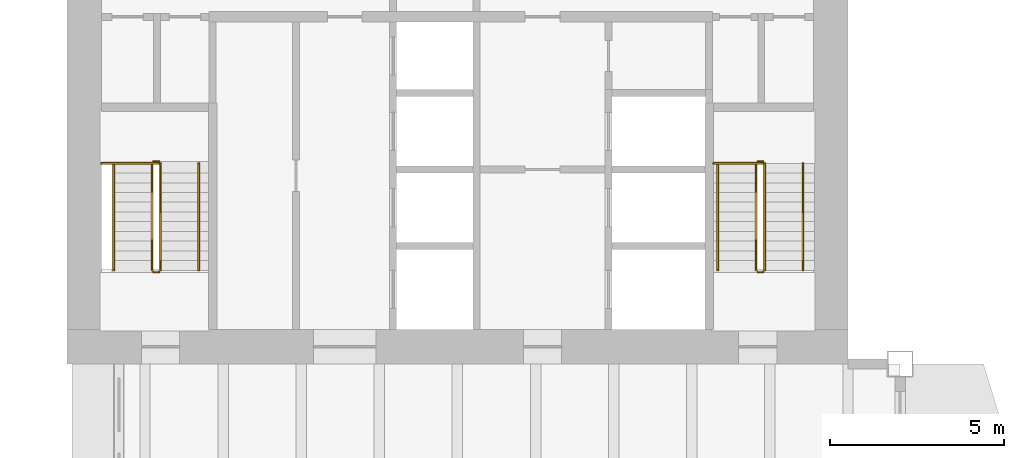
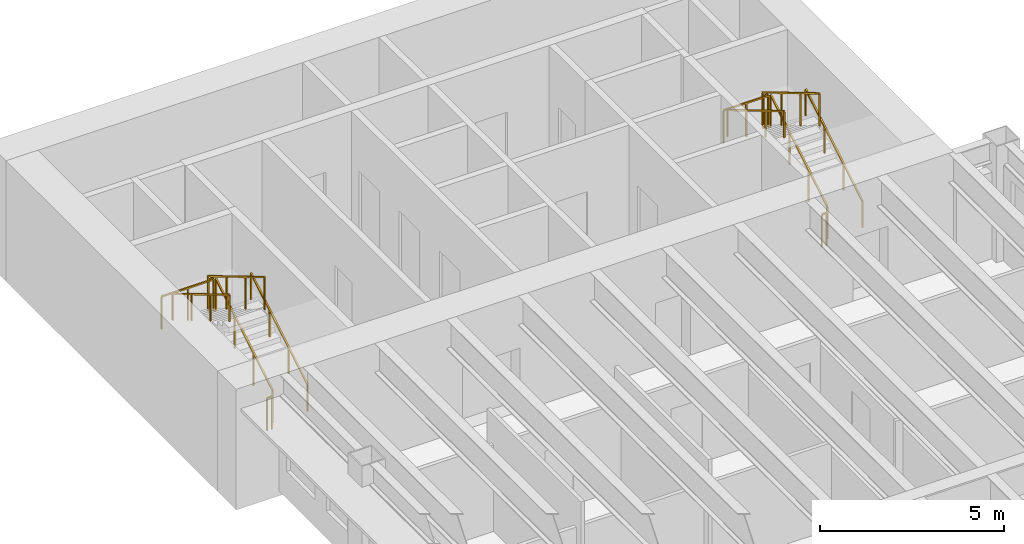
# One storey, part 16 of 16: 14 railings.
"""IFC4 building model written with IfcOpenShell, lengths in metres."""

import ifcopenshell
import ifcopenshell.guid

model = None  # the IFC model being written
_history = None  # IfcOwnerHistory: only IFC2X3 demands one
_inside = {}  # id of a spatial element -> (the spatial element, [elements in it])
_under = {}  # id of a project, library or spatial element -> (it, [spatial elements below it])
_declared = {}  # id of a project -> (the project, [libraries it declares])
_typed = {}  # id of a type object -> (the type object, [elements of that type])
_made_of = {}  # id of a material, layer set ... -> (it, [elements and type objects made of it])


def new_model(schema):
    """Start an empty IFC model of exactly this schema.

    Asked for "IFC4X3", IfcOpenShell would pick the latest addendum, in which some entities
    have other attributes; the version numbers below select the first issue.
    IFC2X3 requires an IfcOwnerHistory on every rooted entity: one is made here for all.
    """
    global model, _history
    if schema == "IFC4X3":
        model = ifcopenshell.file(schema_version=(4, 3, 0, 0))
    else:
        model = ifcopenshell.file(schema=schema)
    _inside.clear()
    _under.clear()
    _declared.clear()
    _typed.clear()
    _made_of.clear()
    _history = None
    if model.schema == "IFC2X3":
        org = make("IfcOrganization", Name="unknown")
        user = make(
            "IfcPersonAndOrganization",
            ThePerson=make("IfcPerson", FamilyName="unknown"),
            TheOrganization=org,
        )
        app = make(
            "IfcApplication",
            ApplicationDeveloper=org,
            Version="unknown",
            ApplicationFullName="unknown",
            ApplicationIdentifier="unknown",
        )
        _history = make(
            "IfcOwnerHistory",
            OwningUser=user,
            OwningApplication=app,
            ChangeAction="ADDED",
            CreationDate=0,
        )
    return model


def make(cls, **values):
    """One entity of the class cls with the attributes given. An attribute that is None is left unset."""
    return model.create_entity(
        cls, **{name: value for name, value in values.items() if value is not None}
    )


def rooted(cls, **values):
    """An entity with a GlobalId (a new one), such as an element, a storey or a relation."""
    return make(cls, GlobalId=ifcopenshell.guid.new(), OwnerHistory=_history, **values)


def si_unit(unit_type, name, prefix=None):
    """IfcSIUnit, for example si_unit("LENGTHUNIT", "METRE", prefix="MILLI")."""
    return make("IfcSIUnit", UnitType=unit_type, Prefix=prefix, Name=name)


def assignment(units):
    """IfcUnitAssignment: the units of a project."""
    return None if units is None else make("IfcUnitAssignment", Units=units)


def point(xyz):
    """IfcCartesianPoint."""
    return None if xyz is None else make("IfcCartesianPoint", Coordinates=xyz)


def direction(xyz):
    """IfcDirection."""
    return None if xyz is None else make("IfcDirection", DirectionRatios=xyz)


def frame(location, z_axis=None, x_axis=None):
    """IfcAxis2Placement3D, a coordinate frame: its origin and axes. An axis left out is left unset."""
    return make(
        "IfcAxis2Placement3D",
        Location=point(location),
        Axis=direction(z_axis),
        RefDirection=direction(x_axis),
    )


def frame_2d(location, x_axis=None):
    """IfcAxis2Placement2D, a coordinate frame in the plane: its origin and x axis."""
    return make(
        "IfcAxis2Placement2D", Location=point(location), RefDirection=direction(x_axis)
    )


def origin():
    """The frame at (0, 0, 0) with its axes left unset."""
    return frame((0.0, 0.0, 0.0))


def origin_2d():
    """The frame at (0, 0) in the plane with its x axis left unset."""
    return frame_2d((0.0, 0.0))


def place(relative_to, where):
    """IfcLocalPlacement: puts the frame where relative to a parent placement (None: the world)."""
    return make(
        "IfcLocalPlacement", PlacementRelTo=relative_to, RelativePlacement=where
    )


def context(
    kind, dimensions, precision=None, world=None, true_north=None, identifier=None
):
    """IfcGeometricRepresentationContext, for example the 3D "Model" context."""
    return make(
        "IfcGeometricRepresentationContext",
        ContextIdentifier=identifier,
        ContextType=kind,
        CoordinateSpaceDimension=dimensions,
        Precision=precision,
        WorldCoordinateSystem=world,
        TrueNorth=true_north,
    )


def subcontext(parent, identifier, kind, view, scale=None):
    """IfcGeometricRepresentationSubContext, for example "Body" below "Model"."""
    return make(
        "IfcGeometricRepresentationSubContext",
        ContextIdentifier=identifier,
        ContextType=kind,
        ParentContext=parent,
        TargetScale=scale,
        TargetView=view,
    )


def project(units=None, contexts=None):
    """IfcProject with its units and contexts."""
    return rooted(
        "IfcProject",
        Name="project",
        RepresentationContexts=contexts,
        UnitsInContext=assignment(units),
    )


def spatial(cls, under=None, at=None, **own):
    """A site, building, storey or space (cls), placed at a placement, below another one or the project."""
    s = rooted(cls, ObjectPlacement=at, **own)
    if under is not None:
        _under.setdefault(under.id(), (under, []))[1].append(s)
    return s


def profile(cls, at=None, kind="AREA", **sizes):
    """A parametric profile (cls). Its sizes go by their IFC names, for example OverallWidth=200.0."""
    return make(cls, ProfileType=kind, Position=at, **sizes)


def rectangle(**sizes):
    """IfcRectangleProfileDef."""
    return profile("IfcRectangleProfileDef", **sizes)


def extrude(swept, where, along, depth):
    """IfcExtrudedAreaSolid: the profile swept, set in the frame where, extruded along a direction by depth."""
    return make(
        "IfcExtrudedAreaSolid",
        SweptArea=swept,
        Position=where,
        ExtrudedDirection=direction(along),
        Depth=depth,
    )


def shape(context_of_items, identifier, shape_type, items):
    """IfcShapeRepresentation: the items that make up one representation, for example the "Body"."""
    return make(
        "IfcShapeRepresentation",
        ContextOfItems=context_of_items,
        RepresentationIdentifier=identifier,
        RepresentationType=shape_type,
        Items=items,
    )


def material(Name=None, Category=None):
    """IfcMaterial."""
    return make("IfcMaterial", Name=Name, Category=Category)


def made_of(thing, what):
    """Note that an element or type object is made of a material, layer set ...; save() writes the relation."""
    if what is not None:
        _made_of.setdefault(what.id(), (what, []))[1].append(thing)
    return thing


def type_object(cls, material=None, **own):
    """A type object (cls), such as IfcWallType, which elements share."""
    return made_of(rooted(cls, **own), material)


def element(
    cls,
    number,
    at=None,
    inside=None,
    cuts=None,
    type_object=None,
    material=None,
    context=None,
    identifier="Body",
    shape_type=None,
    held_by="IfcProductDefinitionShape",
    body=None,
    shapes=None,
    **own,
):
    """One element of the class cls, such as IfcWall. Its Tag is "e" and its number.

    at: its placement. inside: the storey or other place that contains it. cuts: it is an
    opening in that element (IfcRelVoidsElement). A single representation is given by context,
    identifier, shape_type and body (its items); several are given by shapes. held_by: the class
    of the entity that holds the representations. save() writes the other relations.
    """
    e = rooted(cls, Tag="e%d" % number, ObjectPlacement=at, **own)
    if body is not None:
        shapes = [shape(context, identifier, shape_type, body)]
    if shapes is not None:
        e.Representation = make(held_by, Representations=shapes)
    if inside is not None:
        _inside.setdefault(inside.id(), (inside, []))[1].append(e)
    if cuts is not None:
        rooted(
            "IfcRelVoidsElement", RelatingBuildingElement=cuts, RelatedOpeningElement=e
        )
    if type_object is not None:
        _typed.setdefault(type_object.id(), (type_object, []))[1].append(e)
    return made_of(e, material)


def aggregate(whole, parts):
    """IfcRelAggregates: a whole, such as a stair, and the parts it consists of."""
    return rooted("IfcRelAggregates", RelatingObject=whole, RelatedObjects=parts)


def save(model, path):
    """Write the relations noted so far, then the file.

    IfcRelAggregates (storeys below a building ...), IfcRelContainedInSpatialStructure (elements
    in a storey), IfcRelDefinesByType, IfcRelAssociatesMaterial and IfcRelDeclares: one each for
    every whole, place, type object, material and project.
    """
    for whole, parts in _under.values():
        aggregate(whole, parts)
    for where, things in _inside.values():
        rooted(
            "IfcRelContainedInSpatialStructure",
            RelatedElements=things,
            RelatingStructure=where,
        )
    for kind, things in _typed.values():
        rooted("IfcRelDefinesByType", RelatedObjects=things, RelatingType=kind)
    for what, things in _made_of.values():
        rooted("IfcRelAssociatesMaterial", RelatedObjects=things, RelatingMaterial=what)
    for by, libraries in _declared.values():
        rooted("IfcRelDeclares", RelatingContext=by, RelatedDefinitions=libraries)
    model.write(path)


model = new_model("IFC4")

# Units and contexts
model_context = context("Model", 3, precision=1e-05, world=origin(), true_north=direction((0.0, 1.0)))
body_context = subcontext(model_context, "Body", "Model", "MODEL_VIEW")
ifc_project = project(units=[si_unit("LENGTHUNIT", "METRE"), si_unit("AREAUNIT", "SQUARE_METRE"), si_unit("VOLUMEUNIT", "CUBIC_METRE"), si_unit("PLANEANGLEUNIT", "RADIAN"), si_unit("MASSUNIT", "GRAM", prefix="KILO")], contexts=[model_context])

# Site, building, storey
site_placement = place(None, origin())
site = spatial("IfcSite", under=ifc_project, at=site_placement, CompositionType="ELEMENT")
building_placement = place(site_placement, origin())
building = spatial("IfcBuilding", under=site, at=building_placement, Name="Sennacour Bend Tower", CompositionType="ELEMENT")
storey_placement = place(building_placement, frame((0.0, 0.0, 227.0)))
storey = spatial("IfcBuildingStorey", under=building, at=storey_placement, Name="L52", CompositionType="ELEMENT", Elevation=227.0)

# Railings
ifc_material = material(Name="Stainless steel", Category="steel")
railing_type_1 = type_object("IfcRailingType", Name="RL-GUARD-1100", PredefinedType="GUARDRAIL", material=ifc_material)
railing_1_placement = place(storey_placement, frame((2.699951171875, 38.699951171875, 0.166748046875)))
element("IfcRailing", 1, at=railing_1_placement, inside=storey, type_object=railing_type_1, Name="L52 SB1 stair guard 1", PredefinedType="GUARDRAIL", context=body_context, shape_type="SweptSolid", body=[
    extrude(rectangle(XDim=0.048095703125, YDim=0.048095703125, at=origin_2d()), frame((0.0, 0.0, 1.076171875), z_axis=(0.0, 0.859308565015, 0.511457515432), x_axis=(-1.0, 0.0, 0.0)), (0.0, 0.0, 1.0), 3.58447265625),
    extrude(rectangle(XDim=0.0419921875, YDim=0.0419921875, at=origin_2d()), origin(), (0.0, 0.0, 1.0), 1.052001953125),
    extrude(rectangle(XDim=0.0419921875, YDim=0.0419921875, at=origin_2d()), frame((0.0, 1.026611328125, 0.611083984375)), (0.0, 0.0, 1.0), 1.052001953125),
    extrude(rectangle(XDim=0.0419921875, YDim=0.0419921875, at=origin_2d()), frame((0.0, 2.053466796875, 1.22216796875)), (0.0, 0.0, 1.0), 1.052001953125),
    extrude(rectangle(XDim=0.0419921875, YDim=0.0419921875, at=origin_2d()), frame((0.0, 3.080078125, 1.833251953125)), (0.0, 0.0, 1.0), 1.052001953125),
])
railing_2_placement = place(storey_placement, frame((2.64990234375, 41.830078125, 2.0)))
element("IfcRailing", 2, at=railing_2_placement, inside=storey, type_object=railing_type_1, Name="L52 SB1 stair guard 2", PredefinedType="GUARDRAIL", context=body_context, shape_type="SweptSolid", body=[
    extrude(rectangle(XDim=0.048095703125, YDim=0.048095703125, at=origin_2d()), frame((0.0, 0.0, 1.076171875), z_axis=(-1.0, 0.0, 0.0), x_axis=(0.0, -1.0, 0.0)), (0.0, 0.0, 1.0), 0.14990234375),
    extrude(rectangle(XDim=0.0419921875, YDim=0.0419921875, at=origin_2d()), origin(), (0.0, 0.0, 1.0), 1.052001953125),
    extrude(rectangle(XDim=0.0419921875, YDim=0.0419921875, at=origin_2d()), frame((-0.14990234375, 0.0, 0.0)), (0.0, 0.0, 1.0), 1.052001953125),
])
railing_3_placement = place(storey_placement, frame((2.449951171875, 41.780029296875, 2.166748046875)))
element("IfcRailing", 3, at=railing_3_placement, inside=storey, type_object=railing_type_1, Name="L52 SB1 stair guard 4", PredefinedType="GUARDRAIL", context=body_context, shape_type="SweptSolid", body=[
    extrude(rectangle(XDim=0.048095703125, YDim=0.048095703125, at=origin_2d()), frame((0.0, 0.0, 1.076171875), z_axis=(0.0, -0.859308565015, 0.511457515432), x_axis=(1.0, 0.0, 0.0)), (0.0, 0.0, 1.0), 3.58447265625),
    extrude(rectangle(XDim=0.0419921875, YDim=0.0419921875, at=origin_2d()), origin(), (0.0, 0.0, 1.0), 1.052001953125),
    extrude(rectangle(XDim=0.0419921875, YDim=0.0419921875, at=origin_2d()), frame((0.0, -1.026611328125, 0.611083984375)), (0.0, 0.0, 1.0), 1.052001953125),
    extrude(rectangle(XDim=0.0419921875, YDim=0.0419921875, at=origin_2d()), frame((0.0, -2.053466796875, 1.22216796875)), (0.0, 0.0, 1.0), 1.052001953125),
    extrude(rectangle(XDim=0.0419921875, YDim=0.0419921875, at=origin_2d()), frame((0.0, -3.080078125, 1.833251953125)), (0.0, 0.0, 1.0), 1.052001953125),
])
railing_4_placement = place(storey_placement, frame((2.64990234375, 38.64990234375, 0.0)))
element("IfcRailing", 4, at=railing_4_placement, inside=storey, type_object=railing_type_1, Name="L52 SB1 stair guard 5", PredefinedType="GUARDRAIL", context=body_context, shape_type="SweptSolid", body=[
    extrude(rectangle(XDim=0.048095703125, YDim=0.048095703125, at=origin_2d()), frame((0.0, 0.0, 1.076171875), z_axis=(-1.0, 0.0, 0.0), x_axis=(0.0, -1.0, 0.0)), (0.0, 0.0, 1.0), 0.14990234375),
    extrude(rectangle(XDim=0.0419921875, YDim=0.0419921875, at=origin_2d()), origin(), (0.0, 0.0, 1.0), 1.052001953125),
    extrude(rectangle(XDim=0.0419921875, YDim=0.0419921875, at=origin_2d()), frame((-0.14990234375, 0.0, 0.0)), (0.0, 0.0, 1.0), 1.052001953125),
])
railing_5_placement = place(storey_placement, frame((2.64990234375, 41.780029296875, 2.0)))
element("IfcRailing", 5, at=railing_5_placement, inside=storey, type_object=railing_type_1, Name="L52 SB1 landing edge guard 80", PredefinedType="GUARDRAIL", context=body_context, shape_type="SweptSolid", body=[
    extrude(rectangle(XDim=0.048095703125, YDim=0.048095703125, at=origin_2d()), frame((0.0, 0.0, 1.076171875), z_axis=(-1.0, 0.0, 0.0), x_axis=(0.0, -1.0, 0.0)), (0.0, 0.0, 1.0), 1.64990234375),
    extrude(rectangle(XDim=0.0419921875, YDim=0.0419921875, at=origin_2d()), origin(), (0.0, 0.0, 1.0), 1.052001953125),
    extrude(rectangle(XDim=0.0419921875, YDim=0.0419921875, at=origin_2d()), frame((-0.824951171875, 0.0, 0.0)), (0.0, 0.0, 1.0), 1.052001953125),
    extrude(rectangle(XDim=0.0419921875, YDim=0.0419921875, at=origin_2d()), frame((-1.64990234375, 0.0, 0.0)), (0.0, 0.0, 1.0), 1.052001953125),
])
railing_6_placement = place(storey_placement, frame((20.10009765625, 38.699951171875, 0.166748046875)))
element("IfcRailing", 6, at=railing_6_placement, inside=storey, type_object=railing_type_1, Name="L52 SB2 stair guard 1", PredefinedType="GUARDRAIL", context=body_context, shape_type="SweptSolid", body=[
    extrude(rectangle(XDim=0.048095703125, YDim=0.048095703125, at=origin_2d()), frame((0.0, 0.0, 1.076171875), z_axis=(0.0, 0.859308565015, 0.511457515432), x_axis=(-1.0, 0.0, 0.0)), (0.0, 0.0, 1.0), 3.58447265625),
    extrude(rectangle(XDim=0.0419921875, YDim=0.0419921875, at=origin_2d()), origin(), (0.0, 0.0, 1.0), 1.052001953125),
    extrude(rectangle(XDim=0.0419921875, YDim=0.0419921875, at=origin_2d()), frame((0.0, 1.026611328125, 0.611083984375)), (0.0, 0.0, 1.0), 1.052001953125),
    extrude(rectangle(XDim=0.0419921875, YDim=0.0419921875, at=origin_2d()), frame((0.0, 2.053466796875, 1.22216796875)), (0.0, 0.0, 1.0), 1.052001953125),
    extrude(rectangle(XDim=0.0419921875, YDim=0.0419921875, at=origin_2d()), frame((0.0, 3.080078125, 1.833251953125)), (0.0, 0.0, 1.0), 1.052001953125),
])
railing_7_placement = place(storey_placement, frame((20.050048828125, 41.830078125, 2.0)))
element("IfcRailing", 7, at=railing_7_placement, inside=storey, type_object=railing_type_1, Name="L52 SB2 stair guard 2", PredefinedType="GUARDRAIL", context=body_context, shape_type="SweptSolid", body=[
    extrude(rectangle(XDim=0.048095703125, YDim=0.048095703125, at=origin_2d()), frame((0.0, 0.0, 1.076171875), z_axis=(-1.0, 0.0, 0.0), x_axis=(0.0, -1.0, 0.0)), (0.0, 0.0, 1.0), 0.150146484375),
    extrude(rectangle(XDim=0.0419921875, YDim=0.0419921875, at=origin_2d()), origin(), (0.0, 0.0, 1.0), 1.052001953125),
    extrude(rectangle(XDim=0.0419921875, YDim=0.0419921875, at=origin_2d()), frame((-0.150146484375, 0.0, 0.0)), (0.0, 0.0, 1.0), 1.052001953125),
])
railing_8_placement = place(storey_placement, frame((19.85009765625, 41.780029296875, 2.166748046875)))
element("IfcRailing", 8, at=railing_8_placement, inside=storey, type_object=railing_type_1, Name="L52 SB2 stair guard 4", PredefinedType="GUARDRAIL", context=body_context, shape_type="SweptSolid", body=[
    extrude(rectangle(XDim=0.048095703125, YDim=0.048095703125, at=origin_2d()), frame((0.0, 0.0, 1.076171875), z_axis=(0.0, -0.859308565015, 0.511457515432), x_axis=(1.0, 0.0, 0.0)), (0.0, 0.0, 1.0), 3.58447265625),
    extrude(rectangle(XDim=0.0419921875, YDim=0.0419921875, at=origin_2d()), origin(), (0.0, 0.0, 1.0), 1.052001953125),
    extrude(rectangle(XDim=0.0419921875, YDim=0.0419921875, at=origin_2d()), frame((0.0, -1.026611328125, 0.611083984375)), (0.0, 0.0, 1.0), 1.052001953125),
    extrude(rectangle(XDim=0.0419921875, YDim=0.0419921875, at=origin_2d()), frame((0.0, -2.053466796875, 1.22216796875)), (0.0, 0.0, 1.0), 1.052001953125),
    extrude(rectangle(XDim=0.0419921875, YDim=0.0419921875, at=origin_2d()), frame((0.0, -3.080078125, 1.833251953125)), (0.0, 0.0, 1.0), 1.052001953125),
])
railing_9_placement = place(storey_placement, frame((20.050048828125, 38.64990234375, 0.0)))
element("IfcRailing", 9, at=railing_9_placement, inside=storey, type_object=railing_type_1, Name="L52 SB2 stair guard 5", PredefinedType="GUARDRAIL", context=body_context, shape_type="SweptSolid", body=[
    extrude(rectangle(XDim=0.048095703125, YDim=0.048095703125, at=origin_2d()), frame((0.0, 0.0, 1.076171875), z_axis=(-1.0, 0.0, 0.0), x_axis=(0.0, -1.0, 0.0)), (0.0, 0.0, 1.0), 0.150146484375),
    extrude(rectangle(XDim=0.0419921875, YDim=0.0419921875, at=origin_2d()), origin(), (0.0, 0.0, 1.0), 1.052001953125),
    extrude(rectangle(XDim=0.0419921875, YDim=0.0419921875, at=origin_2d()), frame((-0.150146484375, 0.0, 0.0)), (0.0, 0.0, 1.0), 1.052001953125),
])
railing_10_placement = place(storey_placement, frame((20.050048828125, 41.780029296875, 2.0)))
element("IfcRailing", 10, at=railing_10_placement, inside=storey, type_object=railing_type_1, Name="L52 SB2 landing edge guard 69", PredefinedType="GUARDRAIL", context=body_context, shape_type="SweptSolid", body=[
    extrude(rectangle(XDim=0.048095703125, YDim=0.048095703125, at=origin_2d()), frame((0.0, 0.0, 1.076171875), z_axis=(-1.0, 0.0, 0.0), x_axis=(0.0, -1.0, 0.0)), (0.0, 0.0, 1.0), 1.425048828125),
    extrude(rectangle(XDim=0.0419921875, YDim=0.0419921875, at=origin_2d()), origin(), (0.0, 0.0, 1.0), 1.052001953125),
    extrude(rectangle(XDim=0.0419921875, YDim=0.0419921875, at=origin_2d()), frame((-0.71240234375, 0.0, 0.0)), (0.0, 0.0, 1.0), 1.052001953125),
    extrude(rectangle(XDim=0.0419921875, YDim=0.0419921875, at=origin_2d()), frame((-1.425048828125, 0.0, 0.0)), (0.0, 0.0, 1.0), 1.052001953125),
])
railing_type_2 = type_object("IfcRailingType", Name="RL-HANDRAIL-900", PredefinedType="HANDRAIL", material=ifc_material)
railing_11_placement = place(storey_placement, frame((3.800048828125, 38.699951171875, 0.166748046875)))
element("IfcRailing", 11, at=railing_11_placement, inside=storey, type_object=railing_type_2, Name="L52 SB1 stair handrail 1", PredefinedType="HANDRAIL", context=body_context, shape_type="SweptSolid", body=[
    extrude(rectangle(XDim=0.048095703125, YDim=0.048095703125, at=origin_2d()), frame((0.0, 0.0, 0.8759765625), z_axis=(0.0, 0.859308565015, 0.511457515432), x_axis=(-1.0, 0.0, 0.0)), (0.0, 0.0, 1.0), 3.58447265625),
    extrude(rectangle(XDim=0.0419921875, YDim=0.0419921875, at=origin_2d()), origin(), (0.0, 0.0, 1.0), 0.851806640625),
    extrude(rectangle(XDim=0.0419921875, YDim=0.0419921875, at=origin_2d()), frame((0.0, 1.026611328125, 0.611083984375)), (0.0, 0.0, 1.0), 0.851806640625),
    extrude(rectangle(XDim=0.0419921875, YDim=0.0419921875, at=origin_2d()), frame((0.0, 2.053466796875, 1.22216796875)), (0.0, 0.0, 1.0), 0.851806640625),
    extrude(rectangle(XDim=0.0419921875, YDim=0.0419921875, at=origin_2d()), frame((0.0, 3.080078125, 1.833251953125)), (0.0, 0.0, 1.0), 0.851806640625),
])
railing_12_placement = place(storey_placement, frame((1.35009765625, 41.780029296875, 2.166748046875)))
element("IfcRailing", 12, at=railing_12_placement, inside=storey, type_object=railing_type_2, Name="L52 SB1 stair handrail 2", PredefinedType="HANDRAIL", context=body_context, shape_type="SweptSolid", body=[
    extrude(rectangle(XDim=0.048095703125, YDim=0.048095703125, at=origin_2d()), frame((0.0, 0.0, 0.8759765625), z_axis=(0.0, -0.859308565015, 0.511457515432), x_axis=(1.0, 0.0, 0.0)), (0.0, 0.0, 1.0), 3.58447265625),
    extrude(rectangle(XDim=0.0419921875, YDim=0.0419921875, at=origin_2d()), origin(), (0.0, 0.0, 1.0), 0.851806640625),
    extrude(rectangle(XDim=0.0419921875, YDim=0.0419921875, at=origin_2d()), frame((0.0, -1.026611328125, 0.611083984375)), (0.0, 0.0, 1.0), 0.851806640625),
    extrude(rectangle(XDim=0.0419921875, YDim=0.0419921875, at=origin_2d()), frame((0.0, -2.053466796875, 1.22216796875)), (0.0, 0.0, 1.0), 0.851806640625),
    extrude(rectangle(XDim=0.0419921875, YDim=0.0419921875, at=origin_2d()), frame((0.0, -3.080078125, 1.833251953125)), (0.0, 0.0, 1.0), 0.851806640625),
])
railing_13_placement = place(storey_placement, frame((21.199951171875, 38.699951171875, 0.166748046875)))
element("IfcRailing", 13, at=railing_13_placement, inside=storey, type_object=railing_type_2, Name="L52 SB2 stair handrail 1", PredefinedType="HANDRAIL", context=body_context, shape_type="SweptSolid", body=[
    extrude(rectangle(XDim=0.048095703125, YDim=0.048095703125, at=origin_2d()), frame((0.0, 0.0, 0.8759765625), z_axis=(0.0, 0.859308565015, 0.511457515432), x_axis=(-1.0, 0.0, 0.0)), (0.0, 0.0, 1.0), 3.58447265625),
    extrude(rectangle(XDim=0.0419921875, YDim=0.0419921875, at=origin_2d()), origin(), (0.0, 0.0, 1.0), 0.851806640625),
    extrude(rectangle(XDim=0.0419921875, YDim=0.0419921875, at=origin_2d()), frame((0.0, 1.026611328125, 0.611083984375)), (0.0, 0.0, 1.0), 0.851806640625),
    extrude(rectangle(XDim=0.0419921875, YDim=0.0419921875, at=origin_2d()), frame((0.0, 2.053466796875, 1.22216796875)), (0.0, 0.0, 1.0), 0.851806640625),
    extrude(rectangle(XDim=0.0419921875, YDim=0.0419921875, at=origin_2d()), frame((0.0, 3.080078125, 1.833251953125)), (0.0, 0.0, 1.0), 0.851806640625),
])
railing_14_placement = place(storey_placement, frame((18.75, 41.780029296875, 2.166748046875)))
element("IfcRailing", 14, at=railing_14_placement, inside=storey, type_object=railing_type_2, Name="L52 SB2 stair handrail 2", PredefinedType="HANDRAIL", context=body_context, shape_type="SweptSolid", body=[
    extrude(rectangle(XDim=0.048095703125, YDim=0.048095703125, at=origin_2d()), frame((0.0, 0.0, 0.8759765625), z_axis=(0.0, -0.859308565015, 0.511457515432), x_axis=(1.0, 0.0, 0.0)), (0.0, 0.0, 1.0), 3.58447265625),
    extrude(rectangle(XDim=0.0419921875, YDim=0.0419921875, at=origin_2d()), origin(), (0.0, 0.0, 1.0), 0.851806640625),
    extrude(rectangle(XDim=0.0419921875, YDim=0.0419921875, at=origin_2d()), frame((0.0, -1.026611328125, 0.611083984375)), (0.0, 0.0, 1.0), 0.851806640625),
    extrude(rectangle(XDim=0.0419921875, YDim=0.0419921875, at=origin_2d()), frame((0.0, -2.053466796875, 1.22216796875)), (0.0, 0.0, 1.0), 0.851806640625),
    extrude(rectangle(XDim=0.0419921875, YDim=0.0419921875, at=origin_2d()), frame((0.0, -3.080078125, 1.833251953125)), (0.0, 0.0, 1.0), 0.851806640625),
])

save(model, "model.ifc")
